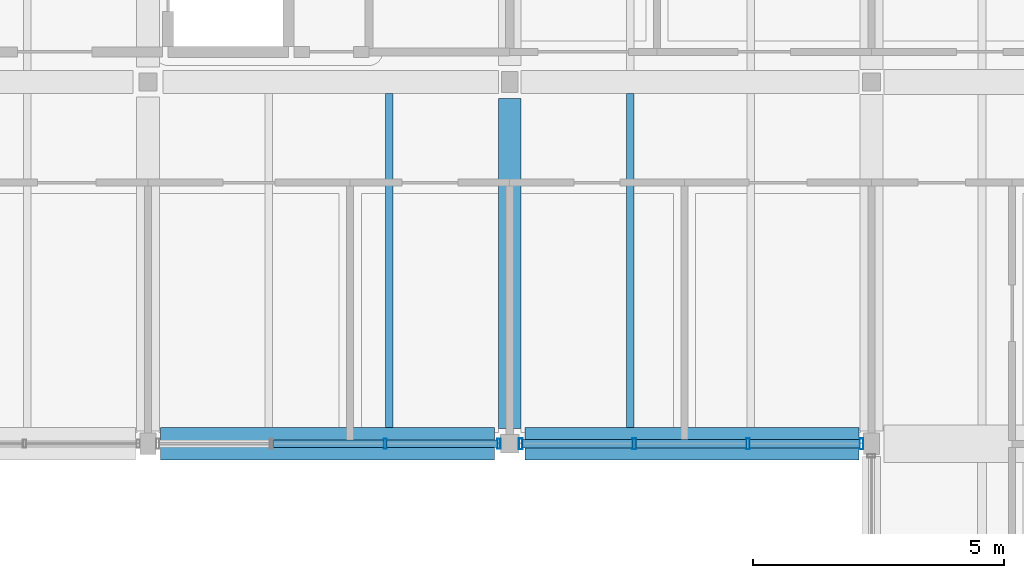
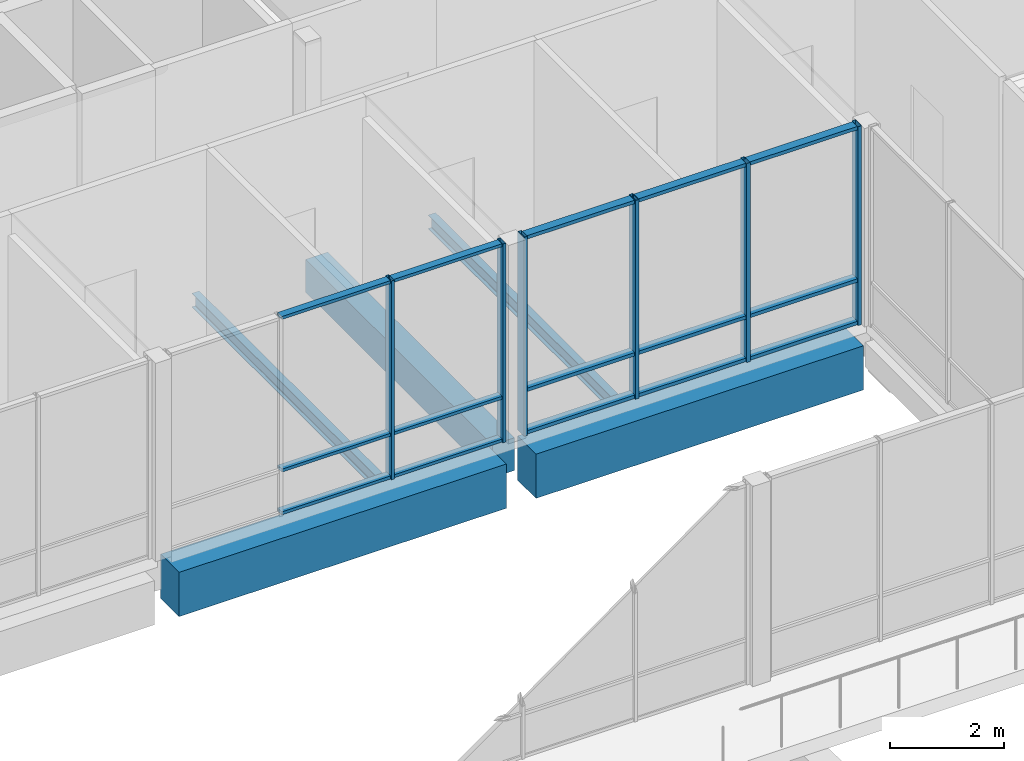
# One storey, part 51 of 146: 21 members, 5 beams, 2 elements without a shape of their own.
"""IFC4 building model written with IfcOpenShell, lengths in metres."""

from ifc_helpers import new_model, si_unit, direction, frame, origin, origin_2d, place, context, subcontext, project, spatial, rectangle, hollow_rectangle, i_section, extrude, material, material_profile, profile_set, type_object, element, aggregate, save


model = new_model("IFC4")

# Units and contexts
model_context = context("Model", 3, precision=1e-05, world=origin(), true_north=direction((0.0, 1.0)))
body_context = subcontext(model_context, "Body", "Model", "MODEL_VIEW")
ifc_project = project(units=[si_unit("LENGTHUNIT", "METRE"), si_unit("AREAUNIT", "SQUARE_METRE"), si_unit("VOLUMEUNIT", "CUBIC_METRE"), si_unit("PLANEANGLEUNIT", "RADIAN"), si_unit("MASSUNIT", "GRAM", prefix="KILO")], contexts=[model_context])

# Site, building, storey
site_placement = place(None, origin())
site = spatial("IfcSite", under=ifc_project, at=site_placement, CompositionType="ELEMENT")
building_placement = place(site_placement, origin())
building = spatial("IfcBuilding", under=site, at=building_placement, Name="Hawrajan Terrace Health Centre", CompositionType="ELEMENT")
storey_placement = place(building_placement, frame((0.0, 0.0, 4.5)))
storey = spatial("IfcBuildingStorey", under=building, at=storey_placement, Name="L01", CompositionType="ELEMENT", Elevation=4.5)

# Curtain wall, members
ifc_material_1 = material(Name="Anodized bronze aluminium and low-E solar glazing", Category="aluminium")
curtain_wall_type_1 = type_object("IfcCurtainWallType", Name="CW_Court_SeriesB1", PredefinedType="USERDEFINED", material=ifc_material_1)
curtain_wall_1_placement = place(storey_placement, origin())
curtain_wall_1 = element("IfcCurtainWall", 1, at=curtain_wall_1_placement, inside=storey, type_object=curtain_wall_type_1, Name="Curtain wall CW-L01-076", ObjectType="UNITISED CURTAIN WALL", PredefinedType="USERDEFINED")
ifc_material_2 = material(Name="Anodized bronze aluminium 6063-T6", Category="aluminium")
ifc_material_profile_1 = material_profile(ifc_material_2, hollow_rectangle(XDim=0.06494140625, YDim=0.199951171875, WallThickness=0.00439453125, at=origin_2d()), Name="CW MUL 65x200")
ifc_profile_set_1 = profile_set([ifc_material_profile_1], Name="Anodized bronze aluminium 6063-T6")
member_type_1 = type_object("IfcMemberType", Name="CWMullion_65x200", PredefinedType="MULLION", material=ifc_profile_set_1)
member_1_placement = place(storey_placement, frame((52.5224609375, 45.39990234375, -0.0048828125), z_axis=(0.0, 0.0, 1.0), x_axis=(1.0, 0.0, 0.0)))
member_1 = element("IfcMember", 2, at=member_1_placement, type_object=member_type_1, Name="Mullion CW-L01-076-M3", PredefinedType="MULLION", context=body_context, shape_type="SweptSolid", body=[
    extrude(hollow_rectangle(XDim=0.06494140625, YDim=0.199951171875, WallThickness=0.00439453125, at=origin_2d()), origin(), (0.0, 0.0, 1.0), 4.269775390625),
])
member_2_placement = place(storey_placement, frame((54.78759765625, 45.39990234375, -0.0048828125), z_axis=(0.0, 0.0, 1.0), x_axis=(1.0, 0.0, 0.0)))
member_2 = element("IfcMember", 3, at=member_2_placement, type_object=member_type_1, Name="Mullion CW-L01-076-M4", PredefinedType="MULLION", context=body_context, shape_type="SweptSolid", body=[
    extrude(hollow_rectangle(XDim=0.06494140625, YDim=0.199951171875, WallThickness=0.00439453125, at=origin_2d()), origin(), (0.0, 0.0, 1.0), 4.269775390625),
])

curtain_wall_type_2 = type_object("IfcCurtainWallType", Name="CW_CourtNS_SeriesC2", PredefinedType="USERDEFINED", material=ifc_material_1)
curtain_wall_2_placement = place(storey_placement, origin())
curtain_wall_2 = element("IfcCurtainWall", 4, at=curtain_wall_2_placement, inside=storey, type_object=curtain_wall_type_2, Name="Curtain wall CW-L01-080", ObjectType="UNITISED CURTAIN WALL", PredefinedType="USERDEFINED")
ifc_material_profile_2 = material_profile(ifc_material_2, hollow_rectangle(XDim=0.074951171875, YDim=0.219970703125, WallThickness=0.0048828125, at=origin_2d()), Name="CW MUL 75x220")
ifc_profile_set_2 = profile_set([ifc_material_profile_2], Name="Anodized bronze aluminium 6063-T6")
member_type_2 = type_object("IfcMemberType", Name="CWMullion_75x220", PredefinedType="MULLION", material=ifc_profile_set_2)
member_3_placement = place(storey_placement, frame((55.217529296875, 45.39990234375, -0.0048828125), z_axis=(0.0, 0.0, 1.0), x_axis=(1.0, 0.0, 0.0)))
member_3 = element("IfcMember", 5, at=member_3_placement, type_object=member_type_2, Name="Mullion CW-L01-080-M1", PredefinedType="MULLION", context=body_context, shape_type="SweptSolid", body=[
    extrude(hollow_rectangle(XDim=0.074951171875, YDim=0.219970703125, WallThickness=0.0048828125, at=origin_2d()), origin(), (0.0, 0.0, 1.0), 4.269775390625),
])
member_4_placement = place(storey_placement, frame((57.479248046875, 45.39990234375, -0.0048828125), z_axis=(0.0, 0.0, 1.0), x_axis=(1.0, 0.0, 0.0)))
member_4 = element("IfcMember", 6, at=member_4_placement, type_object=member_type_2, Name="Mullion CW-L01-080-M2", PredefinedType="MULLION", context=body_context, shape_type="SweptSolid", body=[
    extrude(hollow_rectangle(XDim=0.074951171875, YDim=0.219970703125, WallThickness=0.0048828125, at=origin_2d()), origin(), (0.0, 0.0, 1.0), 4.269775390625),
])
member_5_placement = place(storey_placement, frame((59.74072265625, 45.39990234375, -0.0048828125), z_axis=(0.0, 0.0, 1.0), x_axis=(1.0, 0.0, 0.0)))
member_5 = element("IfcMember", 7, at=member_5_placement, type_object=member_type_2, Name="Mullion CW-L01-080-M3", PredefinedType="MULLION", context=body_context, shape_type="SweptSolid", body=[
    extrude(hollow_rectangle(XDim=0.074951171875, YDim=0.219970703125, WallThickness=0.0048828125, at=origin_2d()), origin(), (0.0, 0.0, 1.0), 4.269775390625),
])
member_6_placement = place(storey_placement, frame((62.00244140625, 45.39990234375, -0.0048828125), z_axis=(0.0, 0.0, 1.0), x_axis=(1.0, 0.0, 0.0)))
member_6 = element("IfcMember", 8, at=member_6_placement, type_object=member_type_2, Name="Mullion CW-L01-080-M4", PredefinedType="MULLION", context=body_context, shape_type="SweptSolid", body=[
    extrude(hollow_rectangle(XDim=0.074951171875, YDim=0.219970703125, WallThickness=0.0048828125, at=origin_2d()), origin(), (0.0, 0.0, 1.0), 4.269775390625),
])

# Member
ifc_material_profile_3 = material_profile(ifc_material_2, hollow_rectangle(XDim=0.06494140625, YDim=0.14990234375, WallThickness=0.00390625, at=origin_2d()), Name="CW TRN 65x150")
ifc_profile_set_3 = profile_set([ifc_material_profile_3], Name="Anodized bronze aluminium 6063-T6")
member_type_3 = type_object("IfcMemberType", Name="CWTransom_65x150", PredefinedType="USERDEFINED", material=ifc_profile_set_3)
member_7_placement = place(storey_placement, frame((50.283935546875, 45.39990234375, 0.032470703125), z_axis=(1.0, 0.0, 0.0), x_axis=(0.0, 0.0, 1.0)))
member_7 = element("IfcMember", 9, at=member_7_placement, type_object=member_type_3, Name="Transom CW-L01-076-T2-1", ObjectType="TRANSOM", PredefinedType="USERDEFINED", context=body_context, shape_type="SweptSolid", body=[
    extrude(hollow_rectangle(XDim=0.06494140625, YDim=0.14990234375, WallThickness=0.00390625, at=origin_2d()), origin(), (0.0, 0.0, 1.0), 2.212158203125),
])

member_8_placement = place(storey_placement, frame((50.283935546875, 45.39990234375, 0.949951171875), z_axis=(1.0, 0.0, 0.0), x_axis=(0.0, 0.0, 1.0)))
member_8 = element("IfcMember", 10, at=member_8_placement, type_object=member_type_3, Name="Transom CW-L01-076-T2-2", ObjectType="TRANSOM", PredefinedType="USERDEFINED", context=body_context, shape_type="SweptSolid", body=[
    extrude(hollow_rectangle(XDim=0.06494140625, YDim=0.14990234375, WallThickness=0.00390625, at=origin_2d()), origin(), (0.0, 0.0, 1.0), 2.212158203125),
])

member_9_placement = place(storey_placement, frame((50.283935546875, 45.39990234375, 4.2275390625), z_axis=(1.0, 0.0, 0.0), x_axis=(0.0, 0.0, 1.0)))
member_9 = element("IfcMember", 11, at=member_9_placement, type_object=member_type_3, Name="Transom CW-L01-076-T2-3", ObjectType="TRANSOM", PredefinedType="USERDEFINED", context=body_context, shape_type="SweptSolid", body=[
    extrude(hollow_rectangle(XDim=0.06494140625, YDim=0.14990234375, WallThickness=0.00390625, at=origin_2d()), origin(), (0.0, 0.0, 1.0), 2.212158203125),
])

member_10_placement = place(storey_placement, frame((52.549072265625, 45.39990234375, 0.032470703125), z_axis=(1.0, 0.0, 0.0), x_axis=(0.0, 0.0, 1.0)))
member_10 = element("IfcMember", 12, at=member_10_placement, type_object=member_type_3, Name="Transom CW-L01-076-T3-1", ObjectType="TRANSOM", PredefinedType="USERDEFINED", context=body_context, shape_type="SweptSolid", body=[
    extrude(hollow_rectangle(XDim=0.06494140625, YDim=0.14990234375, WallThickness=0.00390625, at=origin_2d()), origin(), (0.0, 0.0, 1.0), 2.2119140625),
])

member_11_placement = place(storey_placement, frame((52.549072265625, 45.39990234375, 0.949951171875), z_axis=(1.0, 0.0, 0.0), x_axis=(0.0, 0.0, 1.0)))
member_11 = element("IfcMember", 13, at=member_11_placement, type_object=member_type_3, Name="Transom CW-L01-076-T3-2", ObjectType="TRANSOM", PredefinedType="USERDEFINED", context=body_context, shape_type="SweptSolid", body=[
    extrude(hollow_rectangle(XDim=0.06494140625, YDim=0.14990234375, WallThickness=0.00390625, at=origin_2d()), origin(), (0.0, 0.0, 1.0), 2.2119140625),
])

member_12_placement = place(storey_placement, frame((52.549072265625, 45.39990234375, 4.2275390625), z_axis=(1.0, 0.0, 0.0), x_axis=(0.0, 0.0, 1.0)))
member_12 = element("IfcMember", 14, at=member_12_placement, type_object=member_type_3, Name="Transom CW-L01-076-T3-3", ObjectType="TRANSOM", PredefinedType="USERDEFINED", context=body_context, shape_type="SweptSolid", body=[
    extrude(hollow_rectangle(XDim=0.06494140625, YDim=0.14990234375, WallThickness=0.00390625, at=origin_2d()), origin(), (0.0, 0.0, 1.0), 2.2119140625),
])

aggregate(curtain_wall_1, [member_1, member_2, member_7, member_8, member_9, member_10, member_11, member_12])

ifc_material_profile_4 = material_profile(ifc_material_2, hollow_rectangle(XDim=0.074951171875, YDim=0.169921875, WallThickness=0.00439453125, at=origin_2d()), Name="CW TRN 75x170")
ifc_profile_set_4 = profile_set([ifc_material_profile_4], Name="Anodized bronze aluminium 6063-T6")
member_type_4 = type_object("IfcMemberType", Name="CWTransom_75x170", PredefinedType="USERDEFINED", material=ifc_profile_set_4)
member_13_placement = place(storey_placement, frame((55.2490234375, 45.39990234375, 0.03759765625), z_axis=(1.0, 0.0, 0.0), x_axis=(0.0, 0.0, 1.0)))
member_13 = element("IfcMember", 15, at=member_13_placement, type_object=member_type_4, Name="Transom CW-L01-080-T1-1", ObjectType="TRANSOM", PredefinedType="USERDEFINED", context=body_context, shape_type="SweptSolid", body=[
    extrude(hollow_rectangle(XDim=0.074951171875, YDim=0.169921875, WallThickness=0.00439453125, at=origin_2d()), origin(), (0.0, 0.0, 1.0), 2.19873046875),
])

member_14_placement = place(storey_placement, frame((55.2490234375, 45.39990234375, 0.949951171875), z_axis=(1.0, 0.0, 0.0), x_axis=(0.0, 0.0, 1.0)))
member_14 = element("IfcMember", 16, at=member_14_placement, type_object=member_type_4, Name="Transom CW-L01-080-T1-2", ObjectType="TRANSOM", PredefinedType="USERDEFINED", context=body_context, shape_type="SweptSolid", body=[
    extrude(hollow_rectangle(XDim=0.074951171875, YDim=0.169921875, WallThickness=0.00439453125, at=origin_2d()), origin(), (0.0, 0.0, 1.0), 2.19873046875),
])

member_15_placement = place(storey_placement, frame((55.2490234375, 45.39990234375, 4.222412109375), z_axis=(1.0, 0.0, 0.0), x_axis=(0.0, 0.0, 1.0)))
member_15 = element("IfcMember", 17, at=member_15_placement, type_object=member_type_4, Name="Transom CW-L01-080-T1-3", ObjectType="TRANSOM", PredefinedType="USERDEFINED", context=body_context, shape_type="SweptSolid", body=[
    extrude(hollow_rectangle(XDim=0.074951171875, YDim=0.169921875, WallThickness=0.00439453125, at=origin_2d()), origin(), (0.0, 0.0, 1.0), 2.19873046875),
])

member_16_placement = place(storey_placement, frame((57.5107421875, 45.39990234375, 0.03759765625), z_axis=(1.0, 0.0, 0.0), x_axis=(0.0, 0.0, 1.0)))
member_16 = element("IfcMember", 18, at=member_16_placement, type_object=member_type_4, Name="Transom CW-L01-080-T2-1", ObjectType="TRANSOM", PredefinedType="USERDEFINED", context=body_context, shape_type="SweptSolid", body=[
    extrude(hollow_rectangle(XDim=0.074951171875, YDim=0.169921875, WallThickness=0.00439453125, at=origin_2d()), origin(), (0.0, 0.0, 1.0), 2.198486328125),
])

member_17_placement = place(storey_placement, frame((57.5107421875, 45.39990234375, 0.949951171875), z_axis=(1.0, 0.0, 0.0), x_axis=(0.0, 0.0, 1.0)))
member_17 = element("IfcMember", 19, at=member_17_placement, type_object=member_type_4, Name="Transom CW-L01-080-T2-2", ObjectType="TRANSOM", PredefinedType="USERDEFINED", context=body_context, shape_type="SweptSolid", body=[
    extrude(hollow_rectangle(XDim=0.074951171875, YDim=0.169921875, WallThickness=0.00439453125, at=origin_2d()), origin(), (0.0, 0.0, 1.0), 2.198486328125),
])

member_18_placement = place(storey_placement, frame((57.5107421875, 45.39990234375, 4.222412109375), z_axis=(1.0, 0.0, 0.0), x_axis=(0.0, 0.0, 1.0)))
member_18 = element("IfcMember", 20, at=member_18_placement, type_object=member_type_4, Name="Transom CW-L01-080-T2-3", ObjectType="TRANSOM", PredefinedType="USERDEFINED", context=body_context, shape_type="SweptSolid", body=[
    extrude(hollow_rectangle(XDim=0.074951171875, YDim=0.169921875, WallThickness=0.00439453125, at=origin_2d()), origin(), (0.0, 0.0, 1.0), 2.198486328125),
])

member_19_placement = place(storey_placement, frame((59.772216796875, 45.39990234375, 0.03759765625), z_axis=(1.0, 0.0, 0.0), x_axis=(0.0, 0.0, 1.0)))
member_19 = element("IfcMember", 21, at=member_19_placement, type_object=member_type_4, Name="Transom CW-L01-080-T3-1", ObjectType="TRANSOM", PredefinedType="USERDEFINED", context=body_context, shape_type="SweptSolid", body=[
    extrude(hollow_rectangle(XDim=0.074951171875, YDim=0.169921875, WallThickness=0.00439453125, at=origin_2d()), origin(), (0.0, 0.0, 1.0), 2.19873046875),
])

member_20_placement = place(storey_placement, frame((59.772216796875, 45.39990234375, 0.949951171875), z_axis=(1.0, 0.0, 0.0), x_axis=(0.0, 0.0, 1.0)))
member_20 = element("IfcMember", 22, at=member_20_placement, type_object=member_type_4, Name="Transom CW-L01-080-T3-2", ObjectType="TRANSOM", PredefinedType="USERDEFINED", context=body_context, shape_type="SweptSolid", body=[
    extrude(hollow_rectangle(XDim=0.074951171875, YDim=0.169921875, WallThickness=0.00439453125, at=origin_2d()), origin(), (0.0, 0.0, 1.0), 2.19873046875),
])

member_21_placement = place(storey_placement, frame((59.772216796875, 45.39990234375, 4.222412109375), z_axis=(1.0, 0.0, 0.0), x_axis=(0.0, 0.0, 1.0)))
member_21 = element("IfcMember", 23, at=member_21_placement, type_object=member_type_4, Name="Transom CW-L01-080-T3-3", ObjectType="TRANSOM", PredefinedType="USERDEFINED", context=body_context, shape_type="SweptSolid", body=[
    extrude(hollow_rectangle(XDim=0.074951171875, YDim=0.169921875, WallThickness=0.00439453125, at=origin_2d()), origin(), (0.0, 0.0, 1.0), 2.19873046875),
])

aggregate(curtain_wall_2, [member_3, member_4, member_5, member_6, member_13, member_14, member_15, member_16, member_17, member_18, member_19, member_20, member_21])

# Beams
ifc_material_3 = material(Name="Concrete C40/50", Category="concrete")
ifc_material_profile_5 = material_profile(ifc_material_3, rectangle(XDim=0.449951171875, YDim=0.699951171875, at=origin_2d()), Name="RC BM 450x700")
ifc_profile_set_5 = profile_set([ifc_material_profile_5], Name="Concrete C40/50")
beam_type_1 = type_object("IfcBeamType", Name="RCGirder_450x700", PredefinedType="BEAM", material=ifc_profile_set_5)
beam_placement = place(storey_placement, frame((55.0, 45.699951171875, -0.64990234375), z_axis=(0.0, 1.0, 0.0), x_axis=(-1.0, 0.0, 0.0)))
element("IfcBeam", 24, at=beam_placement, inside=storey, type_object=beam_type_1, Name="Beam BM-Y-L01-W-X08-6", PredefinedType="BEAM", context=body_context, shape_type="SweptSolid", body=[
    extrude(rectangle(XDim=0.449951171875, YDim=0.699951171875, at=origin_2d()), origin(), (0.0, 0.0, 1.0), 6.574951171875),
])
ifc_material_profile_6 = material_profile(ifc_material_3, rectangle(XDim=0.64990234375, YDim=0.949951171875, at=origin_2d()), Name="RC TG 650x950")
ifc_profile_set_6 = profile_set([ifc_material_profile_6], Name="Concrete C40/50")
beam_type_2 = type_object("IfcBeamType", Name="RCTransferGirder_650x950", PredefinedType="BEAM", material=ifc_profile_set_6)
for number, where, z_axis, x_axis, name in (
    (25, (48.050048828125, 45.39990234375, -0.77490234375), (1.0, 0.0, 0.0), (0.0, 1.0, 0.0), "Beam BM-X-L01-W-07-Y6"),
    (26, (55.300048828125, 45.39990234375, -0.77490234375), (1.0, 0.0, 0.0), (0.0, 1.0, 0.0), "Beam BM-X-L01-W-08-Y6"),
):
    element("IfcBeam", number, at=place(storey_placement, frame(where, z_axis=z_axis, x_axis=x_axis)), inside=storey, type_object=beam_type_2, Name=name, PredefinedType="BEAM", context=body_context, shape_type="SweptSolid", body=[
        extrude(rectangle(XDim=0.64990234375, YDim=0.949951171875, at=origin_2d()), origin(), (0.0, 0.0, 1.0), 6.64990234375),
    ])
ifc_material_4 = material(Name="Steel S355", Category="steel")
ifc_material_profile_7 = material_profile(ifc_material_4, i_section(OverallWidth=0.14990234375, OverallDepth=0.300048828125, WebThickness=0.007080078125, FlangeThickness=0.0107421875, FilletRadius=0.014892578125, at=origin_2d()), Name="IPE 300")
ifc_profile_set_7 = profile_set([ifc_material_profile_7], Name="Steel S355")
beam_type_3 = type_object("IfcBeamType", Name="SteelBeam_IPE300", PredefinedType="JOIST", material=ifc_profile_set_7)
for number, where, z_axis, x_axis, name in (
    (27, (52.60009765625, 45.72509765625, -0.449951171875), (0.0, 1.0, 0.0), (-1.0, 0.0, 0.0), "Secondary joist JST-L01-W-07-6-2"),
    (28, (57.39990234375, 45.72509765625, -0.449951171875), (0.0, 1.0, 0.0), (-1.0, 0.0, 0.0), "Secondary joist JST-L01-W-08-6-1"),
):
    element("IfcBeam", number, at=place(storey_placement, frame(where, z_axis=z_axis, x_axis=x_axis)), inside=storey, type_object=beam_type_3, Name=name, PredefinedType="JOIST", context=body_context, shape_type="SweptSolid", body=[
        extrude(i_section(OverallWidth=0.14990234375, OverallDepth=0.300048828125, WebThickness=0.007080078125, FlangeThickness=0.0107421875, FilletRadius=0.014892578125, at=origin_2d()), origin(), (0.0, 0.0, 1.0), 6.64990234375),
    ])

save(model, "model.ifc")
